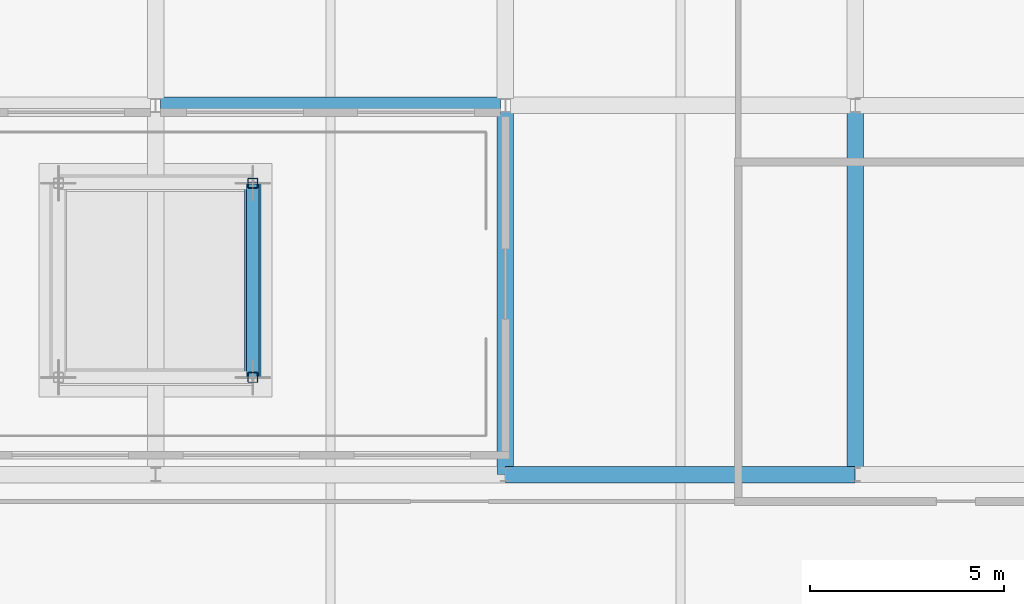
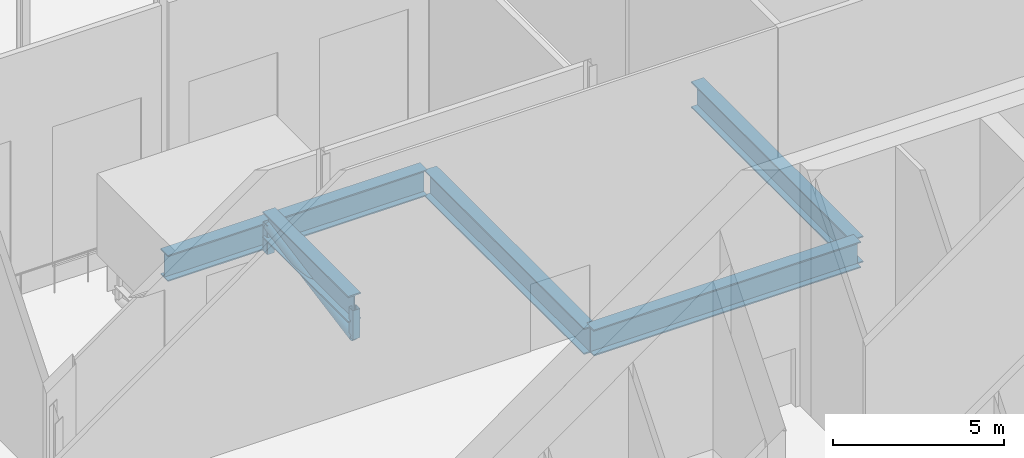
# One storey, part 10 of 26: 4 beams, 4 members.
"""IFC4 building model written with IfcOpenShell, lengths in metres."""

from ifc_helpers import new_model, si_unit, direction, frame, origin, origin_2d, place, context, subcontext, project, spatial, hollow_rectangle, hollow_circle, i_section, extrude, material, material_profile, profile_set, type_object, element, save


model = new_model("IFC4")

# Units and contexts
model_context = context("Model", 3, precision=1e-05, world=origin(), true_north=direction((0.0, 1.0)))
body_context = subcontext(model_context, "Body", "Model", "MODEL_VIEW")
ifc_project = project(units=[si_unit("LENGTHUNIT", "METRE"), si_unit("AREAUNIT", "SQUARE_METRE"), si_unit("VOLUMEUNIT", "CUBIC_METRE"), si_unit("PLANEANGLEUNIT", "RADIAN"), si_unit("MASSUNIT", "GRAM", prefix="KILO")], contexts=[model_context])

# Site, building, storey
site_placement = place(None, origin())
site = spatial("IfcSite", under=ifc_project, at=site_placement, CompositionType="ELEMENT")
building_placement = place(site_placement, origin())
building = spatial("IfcBuilding", under=site, at=building_placement, Name="Zellij Exchange Tower", CompositionType="ELEMENT")
storey_placement = place(building_placement, frame((0.0, 0.0, 296.5)))
storey = spatial("IfcBuildingStorey", under=building, at=storey_placement, Name="L70", CompositionType="ELEMENT", Elevation=296.5)

# Members
ifc_material_1 = material(Name="Structural steel ASTM A913 Gr 65", Category="steel")
ifc_material_profile_1 = material_profile(ifc_material_1, i_section(OverallWidth=0.424072265625, OverallDepth=0.93212890625, WebThickness=0.02392578125, FlangeThickness=0.042724609375, at=origin_2d()), Name="W36x300")
ifc_profile_set_1 = profile_set([ifc_material_profile_1], Name="Structural steel ASTM A913 Gr 65")
member_type_1 = type_object("IfcMemberType", Name="STR-DAMPER FRAME CHORD W36x300", PredefinedType="CHORD", material=ifc_profile_set_1)
member_1_placement = place(storey_placement, frame((2.5, 7.0, 1.033935546875), z_axis=(0.0, 1.0, 0.0), x_axis=(-1.0, 0.0, 0.0)))
element("IfcMember", 1, at=member_1_placement, inside=storey, type_object=member_type_1, Name="TM1", PredefinedType="CHORD", context=body_context, shape_type="SweptSolid", body=[
    extrude(i_section(OverallWidth=0.424072265625, OverallDepth=0.93212890625, WebThickness=0.02392578125, FlangeThickness=0.042724609375, at=origin_2d()), origin(), (0.0, 0.0, 1.0), 5.0),
])
ifc_material_2 = material(Name="Structural steel ASTM A500 Gr C", Category="steel")
ifc_material_profile_2 = material_profile(ifc_material_2, hollow_circle(Radius=0.161865234375, WallThickness=0.01171875, at=origin_2d()), Name="STR-DAMPER FRAME DIAGONAL HSS12.750x0.500")
ifc_profile_set_2 = profile_set([ifc_material_profile_2], Name="Structural steel ASTM A500 Gr C")
member_type_2 = type_object("IfcMemberType", Name="STR-DAMPER FRAME DIAGONAL HSS12.750x0.500", PredefinedType="BRACE", material=ifc_profile_set_2)
member_2_placement = place(storey_placement, frame((2.5, 7.0, 0.0), z_axis=(0.0, 0.983002350945, 0.183592968377), x_axis=(-1.0, 0.0, 0.0)))
element("IfcMember", 2, at=member_2_placement, inside=storey, type_object=member_type_2, Name="TM2", PredefinedType="BRACE", context=body_context, shape_type="SweptSolid", body=[
    extrude(hollow_circle(Radius=0.161865234375, WallThickness=0.01171875, at=origin_2d()), origin(), (0.0, 0.0, 1.0), 5.08642578125),
])
ifc_material_profile_3 = material_profile(ifc_material_2, hollow_rectangle(XDim=0.25390625, YDim=0.25390625, WallThickness=0.0087890625, InnerFilletRadius=0.0087890625, OuterFilletRadius=0.017822265625, at=origin_2d()), Name="STR-DAMPER FRAME POST HSS10x10x3/8")
ifc_profile_set_3 = profile_set([ifc_material_profile_3], Name="Structural steel ASTM A500 Gr C")
member_type_3 = type_object("IfcMemberType", Name="STR-DAMPER FRAME POST HSS10x10x3/8", PredefinedType="POST", material=ifc_profile_set_3)
for number, where, z_axis, x_axis, name in (
    (3, (2.5, 7.0, 0.0), (0.0, 0.0, 1.0), (1.0, 0.0, 0.0), "TM3"),
    (4, (2.5, 12.0, 0.0), (0.0, 0.0, 1.0), (1.0, 0.0, 0.0), "TM3"),
):
    element("IfcMember", number, at=place(storey_placement, frame(where, z_axis=z_axis, x_axis=x_axis)), inside=storey, type_object=member_type_3, Name=name, PredefinedType="POST", context=body_context, shape_type="SweptSolid", body=[
        extrude(hollow_rectangle(XDim=0.25390625, YDim=0.25390625, WallThickness=0.0087890625, InnerFilletRadius=0.0087890625, OuterFilletRadius=0.017822265625, at=origin_2d()), origin(), (0.0, 0.0, 1.0), 1.033935546875),
    ])

# Beams
ifc_material_profile_4 = material_profile(ifc_material_1, i_section(OverallWidth=0.424072265625, OverallDepth=0.93212890625, WebThickness=0.02392578125, FlangeThickness=0.042724609375, at=origin_2d()), Name="W36x300")
ifc_profile_set_4 = profile_set([ifc_material_profile_4], Name="Structural steel ASTM A913 Gr 65")
beam_type = type_object("IfcBeamType", Name="STR-GIRDER W36x300", PredefinedType="BEAM", material=ifc_profile_set_4)
beam_1_placement = place(storey_placement, frame((9.0, 4.5, -0.8662109375), z_axis=(1.0, 0.0, 0.0), x_axis=(0.0, 1.0, 0.0)))
element("IfcBeam", 5, at=beam_1_placement, inside=storey, type_object=beam_type, Name="G5", PredefinedType="BEAM", context=body_context, shape_type="SweptSolid", body=[
    extrude(i_section(OverallWidth=0.424072265625, OverallDepth=0.93212890625, WebThickness=0.02392578125, FlangeThickness=0.042724609375, at=origin_2d()), origin(), (0.0, 0.0, 1.0), 9.0),
])
beam_2_placement = place(storey_placement, frame((0.126953125, 14.0, -0.8662109375), z_axis=(1.0, 0.0, 0.0), x_axis=(0.0, 1.0, 0.0)))
element("IfcBeam", 6, at=beam_2_placement, inside=storey, type_object=beam_type, Name="G5", PredefinedType="BEAM", context=body_context, shape_type="SweptSolid", body=[
    extrude(i_section(OverallWidth=0.424072265625, OverallDepth=0.93212890625, WebThickness=0.02392578125, FlangeThickness=0.042724609375, at=origin_2d()), origin(), (0.0, 0.0, 1.0), 8.74609375),
])
for number, where, z_axis, x_axis, name in (
    (7, (9.0, 4.5, -0.8662109375), (0.0, 1.0, 0.0), (-1.0, 0.0, 0.0), "G5"),
    (8, (18.0, 4.5, -0.8662109375), (0.0, 1.0, 0.0), (-1.0, 0.0, 0.0), "G5"),
):
    element("IfcBeam", number, at=place(storey_placement, frame(where, z_axis=z_axis, x_axis=x_axis)), inside=storey, type_object=beam_type, Name=name, PredefinedType="BEAM", context=body_context, shape_type="SweptSolid", body=[
        extrude(i_section(OverallWidth=0.424072265625, OverallDepth=0.93212890625, WebThickness=0.02392578125, FlangeThickness=0.042724609375, at=origin_2d()), origin(), (0.0, 0.0, 1.0), 9.323486328125),
    ])

save(model, "model.ifc")
